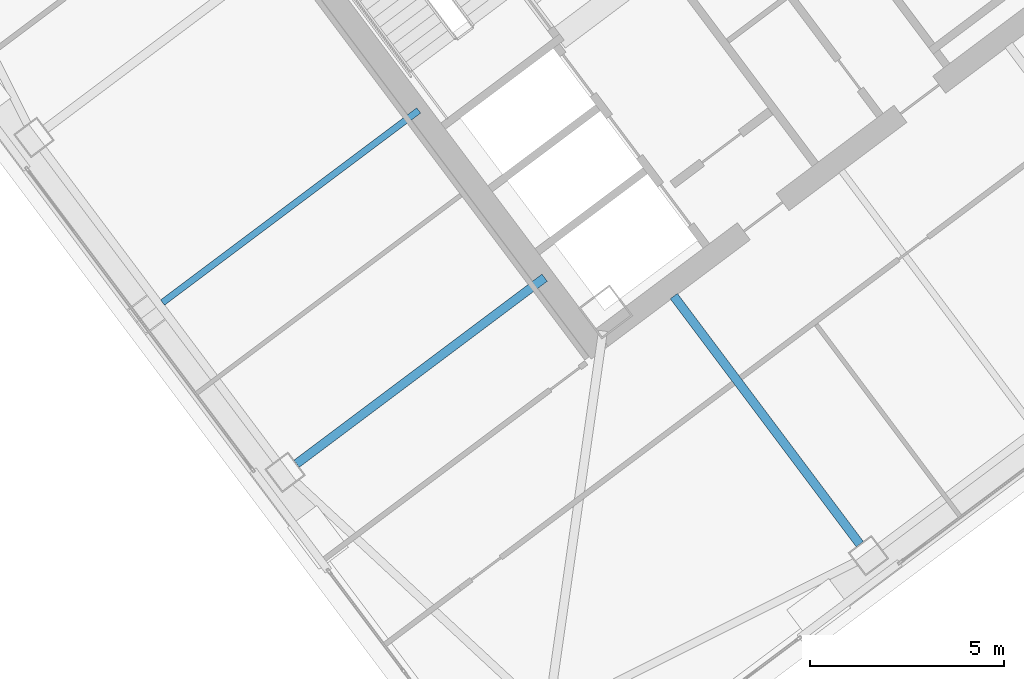
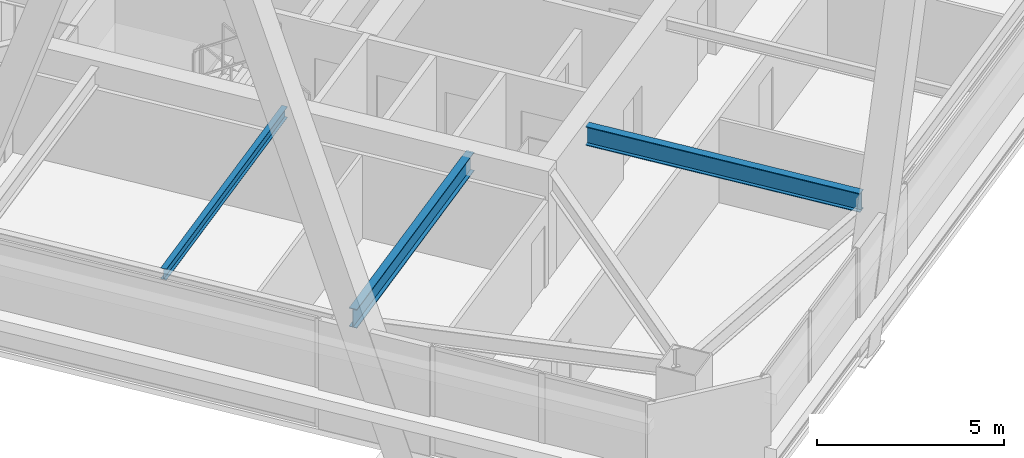
# One storey, part 27 of 55: 3 beams.
"""IFC4 building model written with IfcOpenShell, lengths in metres."""

from ifc_helpers import new_model, si_unit, direction, frame, origin, origin_2d, place, context, subcontext, project, spatial, i_section, extrude, material, material_profile, profile_set, type_object, element, save


model = new_model("IFC4")

# Units and contexts
model_context = context("Model", 3, precision=1e-05, world=origin(), true_north=direction((0.0, 1.0)))
body_context = subcontext(model_context, "Body", "Model", "MODEL_VIEW")
ifc_project = project(units=[si_unit("LENGTHUNIT", "METRE"), si_unit("AREAUNIT", "SQUARE_METRE"), si_unit("VOLUMEUNIT", "CUBIC_METRE"), si_unit("PLANEANGLEUNIT", "RADIAN"), si_unit("MASSUNIT", "GRAM", prefix="KILO")], contexts=[model_context])

# Site, building, storey
site_placement = place(None, origin())
site = spatial("IfcSite", under=ifc_project, at=site_placement, CompositionType="ELEMENT")
building_placement = place(site_placement, origin())
building = spatial("IfcBuilding", under=site, at=building_placement, Name="Tashvorn Skyway Center", CompositionType="ELEMENT")
storey_placement = place(building_placement, frame((0.0, 0.0, 178.300048828125)))
storey = spatial("IfcBuildingStorey", under=building, at=storey_placement, Name="L48", CompositionType="ELEMENT", Elevation=178.300048828125)

# Beams
ifc_material = material(Name="Steel ASTM A992 Grade 50", Category="steel")
ifc_material_profile_1 = material_profile(ifc_material, i_section(OverallWidth=0.22998046875, OverallDepth=0.616943359375, WebThickness=0.01318359375, FlangeThickness=0.022216796875, at=origin_2d()), Name="W24X94")
ifc_profile_set_1 = profile_set([ifc_material_profile_1], Name="Steel ASTM A992 Grade 50")
beam_type_1 = type_object("IfcBeamType", Name="BM-BEAM-W24X94", PredefinedType="BEAM", material=ifc_profile_set_1)
beam_1_placement = place(storey_placement, frame((119.14794921875, 16.135986328125, 3.0615234375), z_axis=(-0.60000976564, 0.799992675677, 0.0), x_axis=(-0.799992675677, -0.60000976564, 0.0)))
element("IfcBeam", 1, at=beam_1_placement, inside=storey, type_object=beam_type_1, Name="Tower 2 L48 Primary Floor Girder FC-S1", PredefinedType="BEAM", context=body_context, shape_type="SweptSolid", body=[
    extrude(i_section(OverallWidth=0.22998046875, OverallDepth=0.616943359375, WebThickness=0.01318359375, FlangeThickness=0.022216796875, at=origin_2d()), origin(), (0.0, 0.0, 1.0), 8.0),
])
beam_2_placement = place(storey_placement, frame((104.615966796875, 18.2119140625, 3.0615234375), z_axis=(0.800003662027, 0.599995117266, 0.0), x_axis=(-0.599995117266, 0.800003662027, 0.0)))
element("IfcBeam", 2, at=beam_2_placement, inside=storey, type_object=beam_type_1, Name="Tower 2 L48 Primary Floor Girder FC-W2", PredefinedType="BEAM", context=body_context, shape_type="SweptSolid", body=[
    extrude(i_section(OverallWidth=0.22998046875, OverallDepth=0.616943359375, WebThickness=0.01318359375, FlangeThickness=0.022216796875, at=origin_2d()), origin(), (0.0, 0.0, 1.0), 8.000244140625),
])
ifc_material_profile_2 = material_profile(ifc_material, i_section(OverallWidth=0.1708984375, OverallDepth=0.35498046875, WebThickness=0.007080078125, FlangeThickness=0.01171875, at=origin_2d()), Name="W14X34")
ifc_profile_set_2 = profile_set([ifc_material_profile_2], Name="Steel ASTM A992 Grade 50")
beam_type_2 = type_object("IfcBeamType", Name="BM-JOIST-W14X34", PredefinedType="JOIST", material=ifc_profile_set_2)
beam_3_placement = place(storey_placement, frame((107.76806640625, 27.325927734375, 3.1923828125), z_axis=(-0.800003545708, -0.59999527236, 0.0), x_axis=(0.59999527236, -0.800003545708, 0.0)))
element("IfcBeam", 3, at=beam_3_placement, inside=storey, type_object=beam_type_2, Name="Tower 2 L48 Secondary Composite Joist JW", PredefinedType="JOIST", context=body_context, shape_type="SweptSolid", body=[
    extrude(i_section(OverallWidth=0.1708984375, OverallDepth=0.35498046875, WebThickness=0.007080078125, FlangeThickness=0.01171875, at=origin_2d()), origin(), (0.0, 0.0, 1.0), 8.2626953125),
])

save(model, "model.ifc")
